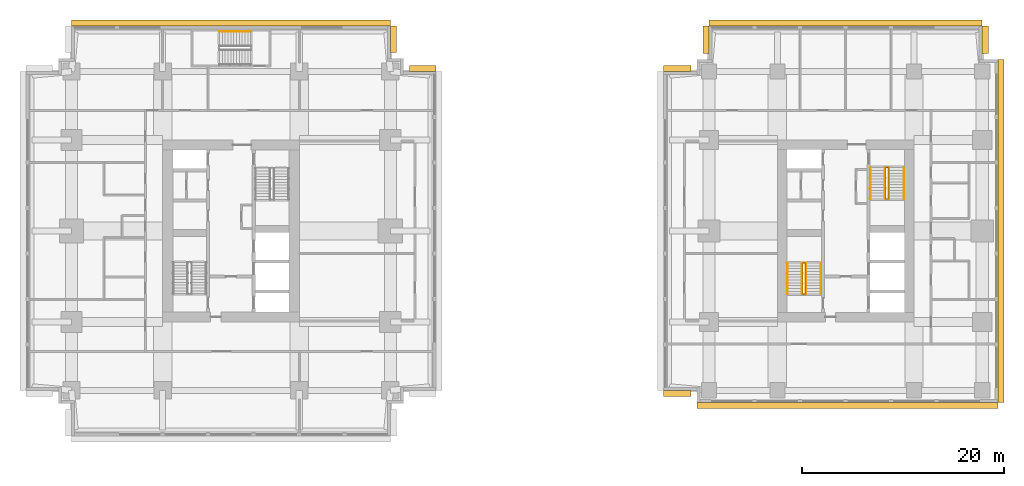
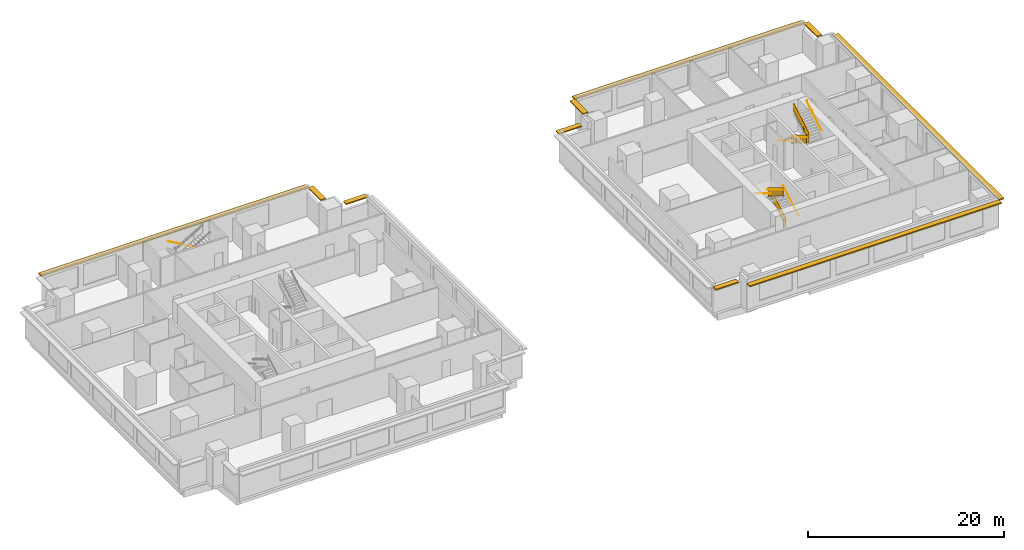
# One storey, part 10 of 10: 11 railings, 10 shading devices.
"""IFC4 building model written with IfcOpenShell, lengths in metres."""

import ifcopenshell
import ifcopenshell.guid

model = None  # the IFC model being written
_history = None  # IfcOwnerHistory: only IFC2X3 demands one
_inside = {}  # id of a spatial element -> (the spatial element, [elements in it])
_under = {}  # id of a project, library or spatial element -> (it, [spatial elements below it])
_declared = {}  # id of a project -> (the project, [libraries it declares])
_typed = {}  # id of a type object -> (the type object, [elements of that type])
_made_of = {}  # id of a material, layer set ... -> (it, [elements and type objects made of it])


def new_model(schema):
    """Start an empty IFC model of exactly this schema.

    Asked for "IFC4X3", IfcOpenShell would pick the latest addendum, in which some entities
    have other attributes; the version numbers below select the first issue.
    IFC2X3 requires an IfcOwnerHistory on every rooted entity: one is made here for all.
    """
    global model, _history
    if schema == "IFC4X3":
        model = ifcopenshell.file(schema_version=(4, 3, 0, 0))
    else:
        model = ifcopenshell.file(schema=schema)
    _inside.clear()
    _under.clear()
    _declared.clear()
    _typed.clear()
    _made_of.clear()
    _history = None
    if model.schema == "IFC2X3":
        org = make("IfcOrganization", Name="unknown")
        user = make(
            "IfcPersonAndOrganization",
            ThePerson=make("IfcPerson", FamilyName="unknown"),
            TheOrganization=org,
        )
        app = make(
            "IfcApplication",
            ApplicationDeveloper=org,
            Version="unknown",
            ApplicationFullName="unknown",
            ApplicationIdentifier="unknown",
        )
        _history = make(
            "IfcOwnerHistory",
            OwningUser=user,
            OwningApplication=app,
            ChangeAction="ADDED",
            CreationDate=0,
        )
    return model


def make(cls, **values):
    """One entity of the class cls with the attributes given. An attribute that is None is left unset."""
    return model.create_entity(
        cls, **{name: value for name, value in values.items() if value is not None}
    )


def rooted(cls, **values):
    """An entity with a GlobalId (a new one), such as an element, a storey or a relation."""
    return make(cls, GlobalId=ifcopenshell.guid.new(), OwnerHistory=_history, **values)


def si_unit(unit_type, name, prefix=None):
    """IfcSIUnit, for example si_unit("LENGTHUNIT", "METRE", prefix="MILLI")."""
    return make("IfcSIUnit", UnitType=unit_type, Prefix=prefix, Name=name)


def assignment(units):
    """IfcUnitAssignment: the units of a project."""
    return None if units is None else make("IfcUnitAssignment", Units=units)


def point(xyz):
    """IfcCartesianPoint."""
    return None if xyz is None else make("IfcCartesianPoint", Coordinates=xyz)


def direction(xyz):
    """IfcDirection."""
    return None if xyz is None else make("IfcDirection", DirectionRatios=xyz)


def frame(location, z_axis=None, x_axis=None):
    """IfcAxis2Placement3D, a coordinate frame: its origin and axes. An axis left out is left unset."""
    return make(
        "IfcAxis2Placement3D",
        Location=point(location),
        Axis=direction(z_axis),
        RefDirection=direction(x_axis),
    )


def frame_2d(location, x_axis=None):
    """IfcAxis2Placement2D, a coordinate frame in the plane: its origin and x axis."""
    return make(
        "IfcAxis2Placement2D", Location=point(location), RefDirection=direction(x_axis)
    )


def origin():
    """The frame at (0, 0, 0) with its axes left unset."""
    return frame((0.0, 0.0, 0.0))


def origin_2d():
    """The frame at (0, 0) in the plane with its x axis left unset."""
    return frame_2d((0.0, 0.0))


def place(relative_to, where):
    """IfcLocalPlacement: puts the frame where relative to a parent placement (None: the world)."""
    return make(
        "IfcLocalPlacement", PlacementRelTo=relative_to, RelativePlacement=where
    )


def context(
    kind, dimensions, precision=None, world=None, true_north=None, identifier=None
):
    """IfcGeometricRepresentationContext, for example the 3D "Model" context."""
    return make(
        "IfcGeometricRepresentationContext",
        ContextIdentifier=identifier,
        ContextType=kind,
        CoordinateSpaceDimension=dimensions,
        Precision=precision,
        WorldCoordinateSystem=world,
        TrueNorth=true_north,
    )


def subcontext(parent, identifier, kind, view, scale=None):
    """IfcGeometricRepresentationSubContext, for example "Body" below "Model"."""
    return make(
        "IfcGeometricRepresentationSubContext",
        ContextIdentifier=identifier,
        ContextType=kind,
        ParentContext=parent,
        TargetScale=scale,
        TargetView=view,
    )


def project(units=None, contexts=None):
    """IfcProject with its units and contexts."""
    return rooted(
        "IfcProject",
        Name="project",
        RepresentationContexts=contexts,
        UnitsInContext=assignment(units),
    )


def spatial(cls, under=None, at=None, **own):
    """A site, building, storey or space (cls), placed at a placement, below another one or the project."""
    s = rooted(cls, ObjectPlacement=at, **own)
    if under is not None:
        _under.setdefault(under.id(), (under, []))[1].append(s)
    return s


def polyline(points):
    """IfcPolyline through the points."""
    return make("IfcPolyline", Points=[point(p) for p in points])


def profile(cls, at=None, kind="AREA", **sizes):
    """A parametric profile (cls). Its sizes go by their IFC names, for example OverallWidth=200.0."""
    return make(cls, ProfileType=kind, Position=at, **sizes)


def rectangle(**sizes):
    """IfcRectangleProfileDef."""
    return profile("IfcRectangleProfileDef", **sizes)


def circle(**sizes):
    """IfcCircleProfileDef."""
    return profile("IfcCircleProfileDef", **sizes)


def outline(outer, holes=None, kind="AREA"):
    """IfcArbitraryClosedProfileDef: a profile drawn as a closed curve; with holes, ...WithVoids."""
    if holes is None:
        return make("IfcArbitraryClosedProfileDef", ProfileType=kind, OuterCurve=outer)
    return make(
        "IfcArbitraryProfileDefWithVoids",
        ProfileType=kind,
        OuterCurve=outer,
        InnerCurves=holes,
    )


def extrude(swept, where, along, depth):
    """IfcExtrudedAreaSolid: the profile swept, set in the frame where, extruded along a direction by depth."""
    return make(
        "IfcExtrudedAreaSolid",
        SweptArea=swept,
        Position=where,
        ExtrudedDirection=direction(along),
        Depth=depth,
    )


def shape(context_of_items, identifier, shape_type, items):
    """IfcShapeRepresentation: the items that make up one representation, for example the "Body"."""
    return make(
        "IfcShapeRepresentation",
        ContextOfItems=context_of_items,
        RepresentationIdentifier=identifier,
        RepresentationType=shape_type,
        Items=items,
    )


def material(Name=None, Category=None):
    """IfcMaterial."""
    return make("IfcMaterial", Name=Name, Category=Category)


def layer(
    of_material, thickness, ventilated=None, Name=None, Category=None, Priority=None
):
    """IfcMaterialLayer: one layer of a wall or slab, of a material (None: an air gap)."""
    return make(
        "IfcMaterialLayer",
        Material=of_material,
        LayerThickness=thickness,
        IsVentilated=ventilated,
        Name=Name,
        Category=Category,
        Priority=Priority,
    )


def layer_set(layers, Name=None):
    """IfcMaterialLayerSet."""
    return make("IfcMaterialLayerSet", MaterialLayers=layers, LayerSetName=Name)


def made_of(thing, what):
    """Note that an element or type object is made of a material, layer set ...; save() writes the relation."""
    if what is not None:
        _made_of.setdefault(what.id(), (what, []))[1].append(thing)
    return thing


def type_object(cls, material=None, **own):
    """A type object (cls), such as IfcWallType, which elements share."""
    return made_of(rooted(cls, **own), material)


def element(
    cls,
    number,
    at=None,
    inside=None,
    cuts=None,
    type_object=None,
    material=None,
    context=None,
    identifier="Body",
    shape_type=None,
    held_by="IfcProductDefinitionShape",
    body=None,
    shapes=None,
    **own,
):
    """One element of the class cls, such as IfcWall. Its Tag is "e" and its number.

    at: its placement. inside: the storey or other place that contains it. cuts: it is an
    opening in that element (IfcRelVoidsElement). A single representation is given by context,
    identifier, shape_type and body (its items); several are given by shapes. held_by: the class
    of the entity that holds the representations. save() writes the other relations.
    """
    e = rooted(cls, Tag="e%d" % number, ObjectPlacement=at, **own)
    if body is not None:
        shapes = [shape(context, identifier, shape_type, body)]
    if shapes is not None:
        e.Representation = make(held_by, Representations=shapes)
    if inside is not None:
        _inside.setdefault(inside.id(), (inside, []))[1].append(e)
    if cuts is not None:
        rooted(
            "IfcRelVoidsElement", RelatingBuildingElement=cuts, RelatedOpeningElement=e
        )
    if type_object is not None:
        _typed.setdefault(type_object.id(), (type_object, []))[1].append(e)
    return made_of(e, material)


def aggregate(whole, parts):
    """IfcRelAggregates: a whole, such as a stair, and the parts it consists of."""
    return rooted("IfcRelAggregates", RelatingObject=whole, RelatedObjects=parts)


def save(model, path):
    """Write the relations noted so far, then the file.

    IfcRelAggregates (storeys below a building ...), IfcRelContainedInSpatialStructure (elements
    in a storey), IfcRelDefinesByType, IfcRelAssociatesMaterial and IfcRelDeclares: one each for
    every whole, place, type object, material and project.
    """
    for whole, parts in _under.values():
        aggregate(whole, parts)
    for where, things in _inside.values():
        rooted(
            "IfcRelContainedInSpatialStructure",
            RelatedElements=things,
            RelatingStructure=where,
        )
    for kind, things in _typed.values():
        rooted("IfcRelDefinesByType", RelatedObjects=things, RelatingType=kind)
    for what, things in _made_of.values():
        rooted("IfcRelAssociatesMaterial", RelatedObjects=things, RelatingMaterial=what)
    for by, libraries in _declared.values():
        rooted("IfcRelDeclares", RelatingContext=by, RelatedDefinitions=libraries)
    model.write(path)


model = new_model("IFC4")

# Units and contexts
model_context = context("Model", 3, precision=1e-05, world=origin(), true_north=direction((0.0, 1.0)))
body_context = subcontext(model_context, "Body", "Model", "MODEL_VIEW")
ifc_project = project(units=[si_unit("LENGTHUNIT", "METRE"), si_unit("AREAUNIT", "SQUARE_METRE"), si_unit("VOLUMEUNIT", "CUBIC_METRE"), si_unit("PLANEANGLEUNIT", "RADIAN"), si_unit("MASSUNIT", "GRAM", prefix="KILO")], contexts=[model_context])

# Site, building, storey
site_placement = place(None, origin())
site = spatial("IfcSite", under=ifc_project, at=site_placement, CompositionType="ELEMENT")
building_placement = place(site_placement, origin())
building = spatial("IfcBuilding", under=site, at=building_placement, Name="Namib Vertical Campus", CompositionType="ELEMENT")
storey_placement = place(building_placement, frame((0.0, 0.0, 161.0)))
storey = spatial("IfcBuildingStorey", under=building, at=storey_placement, Name="L38", CompositionType="ELEMENT", Elevation=161.0)

# Railings
ifc_material_1 = material(Name="Steel handrail", Category="steel")
railing_type_1 = type_object("IfcRailingType", Name="Handrail 900", PredefinedType="HANDRAIL", material=ifc_material_1)
railing_1_placement = place(storey_placement, frame((78.550048828125, 14.0, 0.166748046875)))
element("IfcRailing", 1, at=railing_1_placement, inside=storey, type_object=railing_type_1, Name="Handrail HR1 B-S1 L38 1", PredefinedType="HANDRAIL", context=body_context, shape_type="SweptSolid", body=[
    extrude(circle(Radius=0.02392578125, at=origin_2d()), frame((0.0, 0.0, 0.8759765625), z_axis=(0.0, 0.859308565015, 0.511457515432), x_axis=(-1.0, 0.0, 0.0)), (0.0, 0.0, 1.0), 3.58447265625),
    extrude(circle(Radius=0.008056640625, at=origin_2d()), frame((0.0, 0.0, 0.8759765625), z_axis=(1.0, 0.0, 0.0), x_axis=(0.0, 0.0, 1.0)), (0.0, 0.0, 1.0), 0.050048828125),
    extrude(circle(Radius=0.008056640625, at=origin_2d()), frame((0.0, 1.026611328125, 1.48681640625), z_axis=(1.0, 0.0, 0.0), x_axis=(0.0, 0.0, 1.0)), (0.0, 0.0, 1.0), 0.050048828125),
    extrude(circle(Radius=0.008056640625, at=origin_2d()), frame((0.0, 2.053466796875, 2.09814453125), z_axis=(1.0, 0.0, 0.0), x_axis=(0.0, 0.0, 1.0)), (0.0, 0.0, 1.0), 0.050048828125),
    extrude(circle(Radius=0.008056640625, at=origin_2d()), frame((0.0, 3.080078125, 2.708984375), z_axis=(1.0, 0.0, 0.0), x_axis=(0.0, 0.0, 1.0)), (0.0, 0.0, 1.0), 0.050048828125),
])
railing_2_placement = place(storey_placement, frame((75.25, 17.080078125, 2.166748046875)))
element("IfcRailing", 2, at=railing_2_placement, inside=storey, type_object=railing_type_1, Name="Handrail HR1 B-S1 L38 2", PredefinedType="HANDRAIL", context=body_context, shape_type="SweptSolid", body=[
    extrude(circle(Radius=0.02392578125, at=origin_2d()), frame((0.0, 0.0, 0.8759765625), z_axis=(0.0, -0.859308565015, 0.511457515432), x_axis=(1.0, 0.0, 0.0)), (0.0, 0.0, 1.0), 3.58447265625),
    extrude(circle(Radius=0.008056640625, at=origin_2d()), frame((0.0, 0.0, 0.8759765625), z_axis=(-1.0, 0.0, 0.0), x_axis=(0.0, 0.0, 1.0)), (0.0, 0.0, 1.0), 0.050048828125),
    extrude(circle(Radius=0.008056640625, at=origin_2d()), frame((0.0, -1.026611328125, 1.48681640625), z_axis=(-1.0, 0.0, 0.0), x_axis=(0.0, 0.0, 1.0)), (0.0, 0.0, 1.0), 0.050048828125),
    extrude(circle(Radius=0.008056640625, at=origin_2d()), frame((0.0, -2.053466796875, 2.09814453125), z_axis=(-1.0, 0.0, 0.0), x_axis=(0.0, 0.0, 1.0)), (0.0, 0.0, 1.0), 0.050048828125),
    extrude(circle(Radius=0.008056640625, at=origin_2d()), frame((0.0, -3.080078125, 2.708984375), z_axis=(-1.0, 0.0, 0.0), x_axis=(0.0, 0.0, 1.0)), (0.0, 0.0, 1.0), 0.050048828125),
])
railing_3_placement = place(storey_placement, frame((77.10009765625, 14.0, 0.166748046875)))
element("IfcRailing", 3, at=railing_3_placement, inside=storey, type_object=railing_type_1, Name="Handrail HR1 B-S1 L38 1 at the well", PredefinedType="HANDRAIL", context=body_context, shape_type="SweptSolid", body=[
    extrude(circle(Radius=0.02392578125, at=origin_2d()), frame((0.0, 0.0, 0.8759765625), z_axis=(0.0, 0.859308565015, 0.511457515432), x_axis=(-1.0, 0.0, 0.0)), (0.0, 0.0, 1.0), 3.58447265625),
    extrude(circle(Radius=0.008056640625, at=origin_2d()), frame((0.0, 0.0, 0.8759765625), z_axis=(-1.0, 0.0, 0.0), x_axis=(0.0, 0.0, 1.0)), (0.0, 0.0, 1.0), 0.0400390625),
    extrude(circle(Radius=0.008056640625, at=origin_2d()), frame((0.0, 1.026611328125, 1.48681640625), z_axis=(-1.0, 0.0, 0.0), x_axis=(0.0, 0.0, 1.0)), (0.0, 0.0, 1.0), 0.0400390625),
    extrude(circle(Radius=0.008056640625, at=origin_2d()), frame((0.0, 2.053466796875, 2.09814453125), z_axis=(-1.0, 0.0, 0.0), x_axis=(0.0, 0.0, 1.0)), (0.0, 0.0, 1.0), 0.0400390625),
    extrude(circle(Radius=0.008056640625, at=origin_2d()), frame((0.0, 3.080078125, 2.708984375), z_axis=(-1.0, 0.0, 0.0), x_axis=(0.0, 0.0, 1.0)), (0.0, 0.0, 1.0), 0.0400390625),
])
railing_4_placement = place(storey_placement, frame((76.699951171875, 17.080078125, 2.166748046875)))
element("IfcRailing", 4, at=railing_4_placement, inside=storey, type_object=railing_type_1, Name="Handrail HR1 B-S1 L38 2 at the well", PredefinedType="HANDRAIL", context=body_context, shape_type="SweptSolid", body=[
    extrude(circle(Radius=0.02392578125, at=origin_2d()), frame((0.0, 0.0, 0.8759765625), z_axis=(0.0, -0.859308565015, 0.511457515432), x_axis=(1.0, 0.0, 0.0)), (0.0, 0.0, 1.0), 3.58447265625),
    extrude(circle(Radius=0.008056640625, at=origin_2d()), frame((0.0, 0.0, 0.8759765625), z_axis=(1.0, 0.0, 0.0), x_axis=(0.0, 0.0, 1.0)), (0.0, 0.0, 1.0), 0.0400390625),
    extrude(circle(Radius=0.008056640625, at=origin_2d()), frame((0.0, -1.026611328125, 1.48681640625), z_axis=(1.0, 0.0, 0.0), x_axis=(0.0, 0.0, 1.0)), (0.0, 0.0, 1.0), 0.0400390625),
    extrude(circle(Radius=0.008056640625, at=origin_2d()), frame((0.0, -2.053466796875, 2.09814453125), z_axis=(1.0, 0.0, 0.0), x_axis=(0.0, 0.0, 1.0)), (0.0, 0.0, 1.0), 0.0400390625),
    extrude(circle(Radius=0.008056640625, at=origin_2d()), frame((0.0, -3.080078125, 2.708984375), z_axis=(1.0, 0.0, 0.0), x_axis=(0.0, 0.0, 1.0)), (0.0, 0.0, 1.0), 0.0400390625),
])
railing_5_placement = place(storey_placement, frame((83.449951171875, 26.5, 0.166748046875)))
element("IfcRailing", 5, at=railing_5_placement, inside=storey, type_object=railing_type_1, Name="Handrail HR1 B-S2 L38 1", PredefinedType="HANDRAIL", context=body_context, shape_type="SweptSolid", body=[
    extrude(circle(Radius=0.02392578125, at=origin_2d()), frame((0.0, 0.0, 0.8759765625), z_axis=(0.0, -0.859308565015, 0.511457515432), x_axis=(1.0, 0.0, 0.0)), (0.0, 0.0, 1.0), 3.58447265625),
    extrude(circle(Radius=0.008056640625, at=origin_2d()), frame((0.0, 0.0, 0.8759765625), z_axis=(-1.0, 0.0, 0.0), x_axis=(0.0, 0.0, 1.0)), (0.0, 0.0, 1.0), 0.050048828125),
    extrude(circle(Radius=0.008056640625, at=origin_2d()), frame((0.0, -1.026611328125, 1.48681640625), z_axis=(-1.0, 0.0, 0.0), x_axis=(0.0, 0.0, 1.0)), (0.0, 0.0, 1.0), 0.050048828125),
    extrude(circle(Radius=0.008056640625, at=origin_2d()), frame((0.0, -2.053466796875, 2.09814453125), z_axis=(-1.0, 0.0, 0.0), x_axis=(0.0, 0.0, 1.0)), (0.0, 0.0, 1.0), 0.050048828125),
    extrude(circle(Radius=0.008056640625, at=origin_2d()), frame((0.0, -3.080078125, 2.708984375), z_axis=(-1.0, 0.0, 0.0), x_axis=(0.0, 0.0, 1.0)), (0.0, 0.0, 1.0), 0.050048828125),
])
railing_6_placement = place(storey_placement, frame((86.75, 23.419921875, 2.166748046875)))
element("IfcRailing", 6, at=railing_6_placement, inside=storey, type_object=railing_type_1, Name="Handrail HR1 B-S2 L38 2", PredefinedType="HANDRAIL", context=body_context, shape_type="SweptSolid", body=[
    extrude(circle(Radius=0.02392578125, at=origin_2d()), frame((0.0, 0.0, 0.8759765625), z_axis=(0.0, 0.859308565015, 0.511457515432), x_axis=(-1.0, 0.0, 0.0)), (0.0, 0.0, 1.0), 3.58447265625),
    extrude(circle(Radius=0.008056640625, at=origin_2d()), frame((0.0, 0.0, 0.8759765625), z_axis=(1.0, 0.0, 0.0), x_axis=(0.0, 0.0, 1.0)), (0.0, 0.0, 1.0), 0.050048828125),
    extrude(circle(Radius=0.008056640625, at=origin_2d()), frame((0.0, 1.026611328125, 1.48681640625), z_axis=(1.0, 0.0, 0.0), x_axis=(0.0, 0.0, 1.0)), (0.0, 0.0, 1.0), 0.050048828125),
    extrude(circle(Radius=0.008056640625, at=origin_2d()), frame((0.0, 2.053466796875, 2.09814453125), z_axis=(1.0, 0.0, 0.0), x_axis=(0.0, 0.0, 1.0)), (0.0, 0.0, 1.0), 0.050048828125),
    extrude(circle(Radius=0.008056640625, at=origin_2d()), frame((0.0, 3.080078125, 2.708984375), z_axis=(1.0, 0.0, 0.0), x_axis=(0.0, 0.0, 1.0)), (0.0, 0.0, 1.0), 0.050048828125),
])
railing_7_placement = place(storey_placement, frame((84.89990234375, 26.5, 0.166748046875)))
element("IfcRailing", 7, at=railing_7_placement, inside=storey, type_object=railing_type_1, Name="Handrail HR1 B-S2 L38 1 at the well", PredefinedType="HANDRAIL", context=body_context, shape_type="SweptSolid", body=[
    extrude(circle(Radius=0.02392578125, at=origin_2d()), frame((0.0, 0.0, 0.8759765625), z_axis=(0.0, -0.859308565015, 0.511457515432), x_axis=(1.0, 0.0, 0.0)), (0.0, 0.0, 1.0), 3.58447265625),
    extrude(circle(Radius=0.008056640625, at=origin_2d()), frame((0.0, 0.0, 0.8759765625), z_axis=(1.0, 0.0, 0.0), x_axis=(0.0, 0.0, 1.0)), (0.0, 0.0, 1.0), 0.0400390625),
    extrude(circle(Radius=0.008056640625, at=origin_2d()), frame((0.0, -1.026611328125, 1.48681640625), z_axis=(1.0, 0.0, 0.0), x_axis=(0.0, 0.0, 1.0)), (0.0, 0.0, 1.0), 0.0400390625),
    extrude(circle(Radius=0.008056640625, at=origin_2d()), frame((0.0, -2.053466796875, 2.09814453125), z_axis=(1.0, 0.0, 0.0), x_axis=(0.0, 0.0, 1.0)), (0.0, 0.0, 1.0), 0.0400390625),
    extrude(circle(Radius=0.008056640625, at=origin_2d()), frame((0.0, -3.080078125, 2.708984375), z_axis=(1.0, 0.0, 0.0), x_axis=(0.0, 0.0, 1.0)), (0.0, 0.0, 1.0), 0.0400390625),
])
railing_8_placement = place(storey_placement, frame((85.300048828125, 23.419921875, 2.166748046875)))
element("IfcRailing", 8, at=railing_8_placement, inside=storey, type_object=railing_type_1, Name="Handrail HR1 B-S2 L38 2 at the well", PredefinedType="HANDRAIL", context=body_context, shape_type="SweptSolid", body=[
    extrude(circle(Radius=0.02392578125, at=origin_2d()), frame((0.0, 0.0, 0.8759765625), z_axis=(0.0, 0.859308565015, 0.511457515432), x_axis=(-1.0, 0.0, 0.0)), (0.0, 0.0, 1.0), 3.58447265625),
    extrude(circle(Radius=0.008056640625, at=origin_2d()), frame((0.0, 0.0, 0.8759765625), z_axis=(-1.0, 0.0, 0.0), x_axis=(0.0, 0.0, 1.0)), (0.0, 0.0, 1.0), 0.0400390625),
    extrude(circle(Radius=0.008056640625, at=origin_2d()), frame((0.0, 1.026611328125, 1.48681640625), z_axis=(-1.0, 0.0, 0.0), x_axis=(0.0, 0.0, 1.0)), (0.0, 0.0, 1.0), 0.0400390625),
    extrude(circle(Radius=0.008056640625, at=origin_2d()), frame((0.0, 2.053466796875, 2.09814453125), z_axis=(-1.0, 0.0, 0.0), x_axis=(0.0, 0.0, 1.0)), (0.0, 0.0, 1.0), 0.0400390625),
    extrude(circle(Radius=0.008056640625, at=origin_2d()), frame((0.0, 3.080078125, 2.708984375), z_axis=(-1.0, 0.0, 0.0), x_axis=(0.0, 0.0, 1.0)), (0.0, 0.0, 1.0), 0.0400390625),
])
railing_9_placement = place(storey_placement, frame((22.199951171875, 39.949951171875, 0.166748046875)))
element("IfcRailing", 9, at=railing_9_placement, inside=storey, type_object=railing_type_1, Name="Handrail HR1 A-S3 L38 1", PredefinedType="HANDRAIL", context=body_context, shape_type="SweptSolid", body=[
    extrude(circle(Radius=0.02392578125, at=origin_2d()), frame((0.0, 0.0, 0.8759765625), z_axis=(-0.859290745958, 0.0, 0.51148745235), x_axis=(0.0, -1.0, 0.0)), (0.0, 0.0, 1.0), 3.584228515625),
    extrude(circle(Radius=0.008056640625, at=origin_2d()), frame((0.0, 0.0, 0.8759765625), z_axis=(0.0, 1.0, 0.0), x_axis=(0.0, 0.0, 1.0)), (0.0, 0.0, 1.0), 0.050048828125),
    extrude(circle(Radius=0.008056640625, at=origin_2d()), frame((-1.026611328125, 0.0, 1.48681640625), z_axis=(0.0, 1.0, 0.0), x_axis=(0.0, 0.0, 1.0)), (0.0, 0.0, 1.0), 0.050048828125),
    extrude(circle(Radius=0.008056640625, at=origin_2d()), frame((-2.05322265625, 0.0, 2.09814453125), z_axis=(0.0, 1.0, 0.0), x_axis=(0.0, 0.0, 1.0)), (0.0, 0.0, 1.0), 0.050048828125),
    extrude(circle(Radius=0.008056640625, at=origin_2d()), frame((-3.079833984375, 0.0, 2.708984375), z_axis=(0.0, 1.0, 0.0), x_axis=(0.0, 0.0, 1.0)), (0.0, 0.0, 1.0), 0.050048828125),
])
ifc_material_2 = material(Name="Steel balustrade", Category="steel")
railing_type_2 = type_object("IfcRailingType", Name="Stair guard 1100", PredefinedType="GUARDRAIL", material=ifc_material_2)
railing_10_placement = place(storey_placement, frame((76.75, 14.0, 0.0)))
element("IfcRailing", 10, at=railing_10_placement, inside=storey, type_object=railing_type_2, Name="Stair guard GR1 B-S1 L38", PredefinedType="GUARDRAIL", context=body_context, shape_type="SweptSolid", body=[
    extrude(circle(Radius=0.02392578125, at=origin_2d()), frame((0.0, 0.0, 1.076171875), z_axis=(1.0, 0.0, 0.0), x_axis=(0.0, 1.0, 0.0)), (0.0, 0.0, 1.0), 0.300048828125),
    extrude(outline(polyline([(0.02099609375, 0.050048828125), (0.279052734375, 0.050048828125), (0.279052734375, 1.052001953125), (0.02099609375, 1.052001953125), (0.02099609375, 0.050048828125)])), frame((0.0, 0.010009765625, 0.0), z_axis=(0.0, -1.0, 0.0), x_axis=(1.0, 0.0, 0.0)), (0.0, 0.0, 1.0), 0.02001953125),
    extrude(circle(Radius=0.02392578125, at=origin_2d()), frame((0.300048828125, 0.0, 1.076171875), z_axis=(0.0, 0.0, 1.0), x_axis=(1.0, 0.0, 0.0)), (0.0, 0.0, 1.0), 0.166748046875),
    extrude(circle(Radius=0.02392578125, at=origin_2d()), frame((0.300048828125, 0.0, 1.24267578125), z_axis=(0.0, 0.859308565015, 0.511457515432), x_axis=(-1.0, 0.0, 0.0)), (0.0, 0.0, 1.0), 3.58447265625),
    extrude(outline(polyline([(0.02099609375, 0.0625), (3.05908203125, 1.870849609375), (3.05908203125, 2.872802734375), (0.02099609375, 1.064453125), (0.02099609375, 0.0625)])), frame((0.2900390625, 0.0, 0.166748046875), z_axis=(1.0, 0.0, 0.0), x_axis=(0.0, 1.0, 0.0)), (0.0, 0.0, 1.0), 0.02001953125),
    extrude(circle(Radius=0.02392578125, at=origin_2d()), frame((0.300048828125, 3.080078125, 3.076171875), z_axis=(-1.0, 0.0, 0.0), x_axis=(0.0, -1.0, 0.0)), (0.0, 0.0, 1.0), 0.300048828125),
    extrude(outline(polyline([(0.02099609375, 0.050048828125), (0.279052734375, 0.050048828125), (0.279052734375, 1.052001953125), (0.02099609375, 1.052001953125), (0.02099609375, 0.050048828125)])), frame((0.300048828125, 3.070068359375, 2.0), z_axis=(0.0, 1.0, 0.0), x_axis=(-1.0, 0.0, 0.0)), (0.0, 0.0, 1.0), 0.02001953125),
    extrude(circle(Radius=0.02392578125, at=origin_2d()), frame((0.0, 3.080078125, 3.076171875), z_axis=(0.0, 0.0, 1.0), x_axis=(1.0, 0.0, 0.0)), (0.0, 0.0, 1.0), 0.166748046875),
    extrude(circle(Radius=0.02392578125, at=origin_2d()), frame((0.0, 3.080078125, 3.24267578125), z_axis=(0.0, -0.859308565015, 0.511457515432), x_axis=(1.0, 0.0, 0.0)), (0.0, 0.0, 1.0), 3.58447265625),
    extrude(outline(polyline([(0.02099609375, 0.0625), (3.05908203125, 1.870849609375), (3.05908203125, 2.872802734375), (0.02099609375, 1.064453125), (0.02099609375, 0.0625)])), frame((0.010009765625, 3.080078125, 2.166748046875), z_axis=(-1.0, 0.0, 0.0), x_axis=(0.0, -1.0, 0.0)), (0.0, 0.0, 1.0), 0.02001953125),
    extrude(circle(Radius=0.02392578125, at=origin_2d()), frame((0.0, 0.0, 5.076171875), z_axis=(0.0, -1.0, 0.0), x_axis=(1.0, 0.0, 0.0)), (0.0, 0.0, 1.0), 0.050048828125),
    extrude(outline(polyline([(0.02099609375, 0.050048828125), (0.029052734375, 0.050048828125), (0.029052734375, 1.052001953125), (0.02099609375, 1.052001953125), (0.02099609375, 0.050048828125)])), frame((0.010009765625, 0.0, 4.0), z_axis=(-1.0, 0.0, 0.0), x_axis=(0.0, -1.0, 0.0)), (0.0, 0.0, 1.0), 0.02001953125),
    extrude(circle(Radius=0.02099609375, at=origin_2d()), origin(), (0.0, 0.0, 1.0), 1.052001953125),
    extrude(circle(Radius=0.02099609375, at=origin_2d()), frame((0.300048828125, 0.0, 0.166748046875)), (0.0, 0.0, 1.0), 1.052001953125),
    extrude(circle(Radius=0.02099609375, at=origin_2d()), frame((0.300048828125, 1.026611328125, 0.666748046875)), (0.0, 0.0, 1.0), 1.1630859375),
    extrude(circle(Radius=0.02099609375, at=origin_2d()), frame((0.300048828125, 2.053466796875, 1.33349609375)), (0.0, 0.0, 1.0), 1.107421875),
    extrude(circle(Radius=0.02099609375, at=origin_2d()), frame((0.300048828125, 3.080078125, 2.0)), (0.0, 0.0, 1.0), 1.052001953125),
    extrude(circle(Radius=0.02099609375, at=origin_2d()), frame((0.0, 3.080078125, 2.166748046875)), (0.0, 0.0, 1.0), 1.052001953125),
    extrude(circle(Radius=0.02099609375, at=origin_2d()), frame((0.0, 2.053466796875, 2.666748046875)), (0.0, 0.0, 1.0), 1.1630859375),
    extrude(circle(Radius=0.02099609375, at=origin_2d()), frame((0.0, 1.026611328125, 3.33349609375)), (0.0, 0.0, 1.0), 1.107421875),
    extrude(circle(Radius=0.02099609375, at=origin_2d()), frame((0.0, 0.0, 4.0)), (0.0, 0.0, 1.0), 1.052001953125),
    extrude(circle(Radius=0.02099609375, at=origin_2d()), frame((0.0, -0.050048828125, 4.0)), (0.0, 0.0, 1.0), 1.052001953125),
])
railing_11_placement = place(storey_placement, frame((85.25, 26.5, 0.0)))
element("IfcRailing", 11, at=railing_11_placement, inside=storey, type_object=railing_type_2, Name="Stair guard GR1 B-S2 L38", PredefinedType="GUARDRAIL", context=body_context, shape_type="SweptSolid", body=[
    extrude(circle(Radius=0.02392578125, at=origin_2d()), frame((0.0, 0.0, 1.076171875), z_axis=(-1.0, 0.0, 0.0), x_axis=(0.0, -1.0, 0.0)), (0.0, 0.0, 1.0), 0.300048828125),
    extrude(outline(polyline([(0.02099609375, 0.050048828125), (0.279052734375, 0.050048828125), (0.279052734375, 1.052001953125), (0.02099609375, 1.052001953125), (0.02099609375, 0.050048828125)])), frame((0.0, -0.010009765625, 0.0), z_axis=(0.0, 1.0, 0.0), x_axis=(-1.0, 0.0, 0.0)), (0.0, 0.0, 1.0), 0.02001953125),
    extrude(circle(Radius=0.02392578125, at=origin_2d()), frame((-0.300048828125, 0.0, 1.076171875), z_axis=(0.0, 0.0, 1.0), x_axis=(1.0, 0.0, 0.0)), (0.0, 0.0, 1.0), 0.166748046875),
    extrude(circle(Radius=0.02392578125, at=origin_2d()), frame((-0.300048828125, 0.0, 1.24267578125), z_axis=(0.0, -0.859308565015, 0.511457515432), x_axis=(1.0, 0.0, 0.0)), (0.0, 0.0, 1.0), 3.58447265625),
    extrude(outline(polyline([(0.02099609375, 0.0625), (3.05908203125, 1.870849609375), (3.05908203125, 2.872802734375), (0.02099609375, 1.064453125), (0.02099609375, 0.0625)])), frame((-0.2900390625, 0.0, 0.166748046875), z_axis=(-1.0, 0.0, 0.0), x_axis=(0.0, -1.0, 0.0)), (0.0, 0.0, 1.0), 0.02001953125),
    extrude(circle(Radius=0.02392578125, at=origin_2d()), frame((-0.300048828125, -3.080078125, 3.076171875), z_axis=(1.0, 0.0, 0.0), x_axis=(0.0, 1.0, 0.0)), (0.0, 0.0, 1.0), 0.300048828125),
    extrude(outline(polyline([(0.02099609375, 0.050048828125), (0.279052734375, 0.050048828125), (0.279052734375, 1.052001953125), (0.02099609375, 1.052001953125), (0.02099609375, 0.050048828125)])), frame((-0.300048828125, -3.070068359375, 2.0), z_axis=(0.0, -1.0, 0.0), x_axis=(1.0, 0.0, 0.0)), (0.0, 0.0, 1.0), 0.02001953125),
    extrude(circle(Radius=0.02392578125, at=origin_2d()), frame((0.0, -3.080078125, 3.076171875), z_axis=(0.0, 0.0, 1.0), x_axis=(1.0, 0.0, 0.0)), (0.0, 0.0, 1.0), 0.166748046875),
    extrude(circle(Radius=0.02392578125, at=origin_2d()), frame((0.0, -3.080078125, 3.24267578125), z_axis=(0.0, 0.859308565015, 0.511457515432), x_axis=(-1.0, 0.0, 0.0)), (0.0, 0.0, 1.0), 3.58447265625),
    extrude(outline(polyline([(0.02099609375, 0.0625), (3.05908203125, 1.870849609375), (3.05908203125, 2.872802734375), (0.02099609375, 1.064453125), (0.02099609375, 0.0625)])), frame((-0.010009765625, -3.080078125, 2.166748046875), z_axis=(1.0, 0.0, 0.0), x_axis=(0.0, 1.0, 0.0)), (0.0, 0.0, 1.0), 0.02001953125),
    extrude(circle(Radius=0.02392578125, at=origin_2d()), frame((0.0, 0.0, 5.076171875), z_axis=(0.0, 1.0, 0.0), x_axis=(-1.0, 0.0, 0.0)), (0.0, 0.0, 1.0), 0.050048828125),
    extrude(outline(polyline([(0.02099609375, 0.050048828125), (0.029052734375, 0.050048828125), (0.029052734375, 1.052001953125), (0.02099609375, 1.052001953125), (0.02099609375, 0.050048828125)])), frame((-0.010009765625, 0.0, 4.0), z_axis=(1.0, 0.0, 0.0), x_axis=(0.0, 1.0, 0.0)), (0.0, 0.0, 1.0), 0.02001953125),
    extrude(circle(Radius=0.02099609375, at=origin_2d()), origin(), (0.0, 0.0, 1.0), 1.052001953125),
    extrude(circle(Radius=0.02099609375, at=origin_2d()), frame((-0.300048828125, 0.0, 0.166748046875)), (0.0, 0.0, 1.0), 1.052001953125),
    extrude(circle(Radius=0.02099609375, at=origin_2d()), frame((-0.300048828125, -1.026611328125, 0.666748046875)), (0.0, 0.0, 1.0), 1.1630859375),
    extrude(circle(Radius=0.02099609375, at=origin_2d()), frame((-0.300048828125, -2.053466796875, 1.33349609375)), (0.0, 0.0, 1.0), 1.107421875),
    extrude(circle(Radius=0.02099609375, at=origin_2d()), frame((-0.300048828125, -3.080078125, 2.0)), (0.0, 0.0, 1.0), 1.052001953125),
    extrude(circle(Radius=0.02099609375, at=origin_2d()), frame((0.0, -3.080078125, 2.166748046875)), (0.0, 0.0, 1.0), 1.052001953125),
    extrude(circle(Radius=0.02099609375, at=origin_2d()), frame((0.0, -2.053466796875, 2.666748046875)), (0.0, 0.0, 1.0), 1.1630859375),
    extrude(circle(Radius=0.02099609375, at=origin_2d()), frame((0.0, -1.026611328125, 3.33349609375)), (0.0, 0.0, 1.0), 1.107421875),
    extrude(circle(Radius=0.02099609375, at=origin_2d()), frame((0.0, 0.0, 4.0)), (0.0, 0.0, 1.0), 1.052001953125),
    extrude(circle(Radius=0.02099609375, at=origin_2d()), frame((0.0, 0.050048828125, 4.0)), (0.0, 0.0, 1.0), 1.052001953125),
])

# Shading devices
ifc_material_3 = material(Name="Concrete C40/50 precast", Category="concrete")
ifc_layer = layer(ifc_material_3, 0.14990234375)
ifc_layer_set = layer_set([ifc_layer], Name="Concrete C40/50 precast")
shading_device_type = type_object("IfcShadingDeviceType", Name="Sunshade hood 600", PredefinedType="SHUTTER", material=ifc_layer_set)
for number, where, z_axis, x_axis, name in (
    (12, (39.199951171875, 36.300048828125, 3.199951171875), (0.0, 0.0, 1.0), (-1.0, 0.0, 0.0), "Sunshade SH3 L38 7"),
    (13, (36.300048828125, 39.199951171875, 3.199951171875), (0.0, 0.0, 1.0), (0.0, 1.0, 0.0), "Sunshade SH3 L38 10"),
):
    element("IfcShadingDevice", number, at=place(storey_placement, frame(where, z_axis=z_axis, x_axis=x_axis)), inside=storey, type_object=shading_device_type, Name=name, PredefinedType="SHUTTER", context=body_context, shape_type="SweptSolid", body=[
        extrude(rectangle(XDim=2.60009765625, YDim=0.60009765625, at=origin_2d()), origin(), (0.0, 0.0, 1.0), 0.14990234375),
    ])
shading_device_1_placement = place(storey_placement, frame((20.25, 40.800048828125, 3.199951171875), z_axis=(0.0, 0.0, 1.0), x_axis=(-1.0, 0.0, 0.0)))
element("IfcShadingDevice", 14, at=shading_device_1_placement, inside=storey, type_object=shading_device_type, Name="Sunshade SH3 L38 11", PredefinedType="SHUTTER", context=body_context, shape_type="SweptSolid", body=[
    extrude(rectangle(XDim=31.5, YDim=0.60009765625, at=origin_2d()), origin(), (0.0, 0.0, 1.0), 0.14990234375),
])
shading_device_2_placement = place(storey_placement, frame((64.35009765625, 4.199951171875, 3.199951171875), z_axis=(0.0, 0.0, 1.0), x_axis=(1.0, 0.0, 0.0)))
element("IfcShadingDevice", 15, at=shading_device_2_placement, inside=storey, type_object=shading_device_type, Name="Sunshade SH3 L38 1", PredefinedType="SHUTTER", context=body_context, shape_type="SweptSolid", body=[
    extrude(rectangle(XDim=2.699951171875, YDim=0.60009765625, at=origin_2d()), origin(), (0.0, 0.0, 1.0), 0.14990234375),
])
shading_device_3_placement = place(storey_placement, frame((81.175048828125, 3.0, 3.199951171875), z_axis=(0.0, 0.0, 1.0), x_axis=(1.0, 0.0, 0.0)))
element("IfcShadingDevice", 16, at=shading_device_3_placement, inside=storey, type_object=shading_device_type, Name="Sunshade SH3 L38 3", PredefinedType="SHUTTER", context=body_context, shape_type="SweptSolid", body=[
    extrude(rectangle(XDim=29.75, YDim=0.60009765625, at=origin_2d()), origin(), (0.0, 0.0, 1.0), 0.14990234375),
])
shading_device_4_placement = place(storey_placement, frame((96.35009765625, 20.25, 3.199951171875), z_axis=(0.0, 0.0, 1.0), x_axis=(0.0, 1.0, 0.0)))
element("IfcShadingDevice", 17, at=shading_device_4_placement, inside=storey, type_object=shading_device_type, Name="Sunshade SH3 L38 4", PredefinedType="SHUTTER", context=body_context, shape_type="SweptSolid", body=[
    extrude(rectangle(XDim=33.89990234375, YDim=0.60009765625, at=origin_2d()), origin(), (0.0, 0.0, 1.0), 0.14990234375),
])
shading_device_5_placement = place(storey_placement, frame((94.800048828125, 39.14990234375, 3.199951171875), z_axis=(0.0, 0.0, 1.0), x_axis=(0.0, 1.0, 0.0)))
element("IfcShadingDevice", 18, at=shading_device_5_placement, inside=storey, type_object=shading_device_type, Name="Sunshade SH3 L38 6", PredefinedType="SHUTTER", context=body_context, shape_type="SweptSolid", body=[
    extrude(rectangle(XDim=2.699951171875, YDim=0.60009765625, at=origin_2d()), origin(), (0.0, 0.0, 1.0), 0.14990234375),
])
shading_device_6_placement = place(storey_placement, frame((81.0, 40.800048828125, 3.199951171875), z_axis=(0.0, 0.0, 1.0), x_axis=(-1.0, 0.0, 0.0)))
element("IfcShadingDevice", 19, at=shading_device_6_placement, inside=storey, type_object=shading_device_type, Name="Sunshade SH3 L38 7", PredefinedType="SHUTTER", context=body_context, shape_type="SweptSolid", body=[
    extrude(rectangle(XDim=27.0, YDim=0.60009765625, at=origin_2d()), origin(), (0.0, 0.0, 1.0), 0.14990234375),
])
for number, where, z_axis, x_axis, name in (
    (20, (67.199951171875, 39.14990234375, 3.199951171875), (0.0, 0.0, 1.0), (0.0, -1.0, 0.0), "Sunshade SH3 L38 8"),
    (21, (64.35009765625, 36.300048828125, 3.199951171875), (0.0, 0.0, 1.0), (-1.0, 0.0, 0.0), "Sunshade SH3 L38 11"),
):
    element("IfcShadingDevice", number, at=place(storey_placement, frame(where, z_axis=z_axis, x_axis=x_axis)), inside=storey, type_object=shading_device_type, Name=name, PredefinedType="SHUTTER", context=body_context, shape_type="SweptSolid", body=[
        extrude(rectangle(XDim=2.699951171875, YDim=0.60009765625, at=origin_2d()), origin(), (0.0, 0.0, 1.0), 0.14990234375),
    ])

save(model, "model.ifc")
